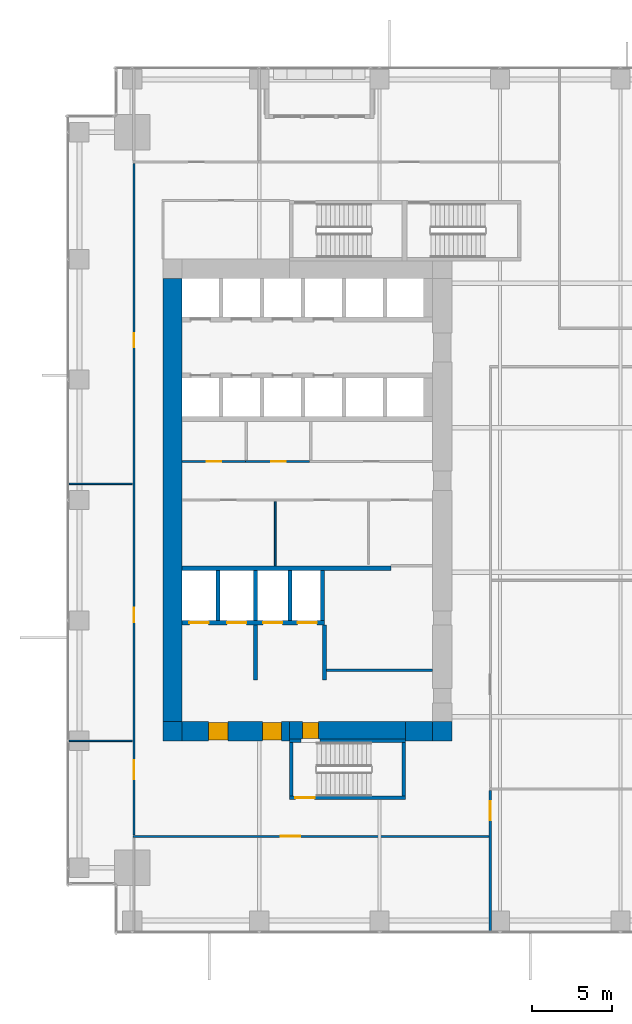
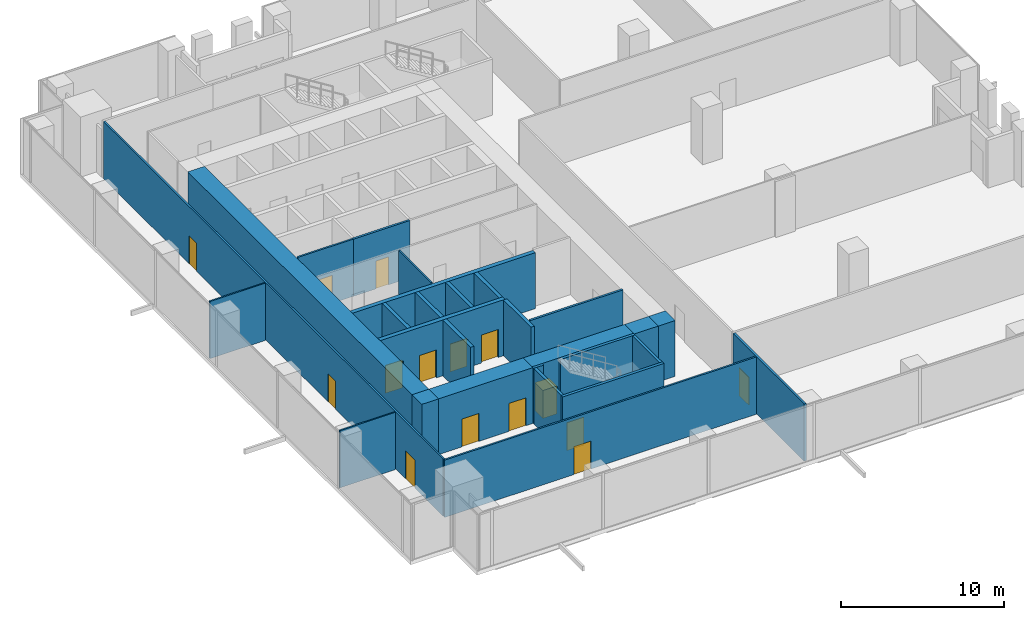
# One storey, part 27 of 33: 28 walls, 15 doors, 15 openings.
"""IFC4 building model written with IfcOpenShell, lengths in metres."""

from ifc_helpers import new_model, si_unit, direction, frame, frame_2d, origin, place, context, subcontext, project, spatial, rectangle, extrude, source, transform, mapped, material, layer, layer_set, type_object, element, fill, save


model = new_model("IFC4")

# Units and contexts
model_context = context("Model", 3, precision=1e-05, world=origin(), true_north=direction((0.0, 1.0)))
body_context = subcontext(model_context, "Body", "Model", "MODEL_VIEW")
ifc_project = project(units=[si_unit("LENGTHUNIT", "METRE"), si_unit("AREAUNIT", "SQUARE_METRE"), si_unit("VOLUMEUNIT", "CUBIC_METRE"), si_unit("PLANEANGLEUNIT", "RADIAN"), si_unit("MASSUNIT", "GRAM", prefix="KILO")], contexts=[model_context])

# Site, building, storey
site_placement = place(None, origin())
site = spatial("IfcSite", under=ifc_project, at=site_placement, CompositionType="ELEMENT")
building_placement = place(site_placement, origin())
building = spatial("IfcBuilding", under=site, at=building_placement, Name="Khomas Fold Tower", CompositionType="ELEMENT")
storey_placement = place(building_placement, frame((0.0, 0.0, 78.0)))
storey = spatial("IfcBuildingStorey", under=building, at=storey_placement, Name="L16", CompositionType="ELEMENT", Elevation=78.0)

# Wall, openings, doors
ifc_material_1 = material(Name="Concrete C70/85", Category="concrete")
ifc_layer_1 = layer(ifc_material_1, 1.199951171875)
ifc_layer_set_1 = layer_set([ifc_layer_1], Name="Concrete C70/85")
wall_type_1 = type_object("IfcWallType", Name="Core wall 1200", PredefinedType="SHEAR", material=ifc_layer_set_1)
shared_shape_1 = source(origin(), body_context, "Body", "SweptSolid", [
    extrude(rectangle(XDim=6.699951171875, YDim=1.199951171875, at=frame_2d((3.35009765625, 0.0))), origin(), (0.0, 0.0, 1.0), 4.199951171875),
])
wall_1_placement = place(storey_placement, frame((7.199951171875, 12.60009765625, 0.0), z_axis=(0.0, 0.0, 1.0), x_axis=(1.0, 0.0, 0.0)))
wall_1 = element("IfcWall", 1, at=wall_1_placement, inside=storey, type_object=wall_type_1, Name="Core wall CW-L-S-B2", PredefinedType="SHEAR", context=body_context, shape_type="MappedRepresentation", body=[
    mapped(shared_shape_1, transform((0.0, 0.0, 0.0))),
])
shared_shape_2 = source(origin(), body_context, "Body", "SweptSolid", [
    extrude(rectangle(XDim=1.199951171875, YDim=2.10009765625, at=frame_2d((0.60009765625, 1.050048828125))), frame((0.0, 0.60986328125, 0.0), z_axis=(0.0, -1.0, 0.0), x_axis=(1.0, 0.0, 0.0)), (0.0, 0.0, 1.0), 1.219970703125),
])
opening_1_placement = place(wall_1_placement, frame((5.0, 0.0, 0.0)))
opening_1 = element("IfcOpeningElement", 2, at=opening_1_placement, cuts=wall_1, Name="Opening 0009", PredefinedType="OPENING", context=body_context, shape_type="MappedRepresentation", body=[
    mapped(shared_shape_2, transform((0.0, 0.0, 0.0))),
])
opening_2_placement = place(wall_1_placement, frame((1.64990234375, 0.0, 0.0)))
opening_2 = element("IfcOpeningElement", 3, at=opening_2_placement, cuts=wall_1, Name="Opening 0009", PredefinedType="OPENING", context=body_context, shape_type="MappedRepresentation", body=[
    mapped(shared_shape_2, transform((0.0, 0.0, 0.0))),
])
ifc_material_2 = material(Name="Steel door leaf", Category="steel")
door_type_1 = type_object("IfcDoorType", Name="Lobby door 1200x2100 right-hand", OperationType="SINGLE_SWING_RIGHT", PredefinedType="DOOR", material=ifc_material_2)
shared_shape_3 = source(origin(), body_context, "Body", "SweptSolid", [
    extrude(rectangle(XDim=1.199951171875, YDim=2.10009765625, at=frame_2d((0.60009765625, 1.050048828125))), frame((0.0, 0.5498046875, 0.0), z_axis=(0.0, -1.0, 0.0), x_axis=(1.0, 0.0, 0.0)), (0.0, 0.0, 1.0), 1.099853515625),
])
door_1_placement = place(opening_1_placement, origin())
door_1 = element("IfcDoor", 4, at=door_1_placement, inside=storey, type_object=door_type_1, Name="Lobby door", OperationType="SINGLE_SWING_RIGHT", OverallHeight=2.10009765625, OverallWidth=1.199951171875, PredefinedType="DOOR", context=body_context, shape_type="MappedRepresentation", body=[
    mapped(shared_shape_3, transform((0.0, 0.0, 0.0))),
])
fill(opening_1, door_1)
door_2_placement = place(opening_2_placement, origin())
door_2 = element("IfcDoor", 5, at=door_2_placement, inside=storey, type_object=door_type_1, Name="Lobby door", OperationType="SINGLE_SWING_RIGHT", OverallHeight=2.10009765625, OverallWidth=1.199951171875, PredefinedType="DOOR", context=body_context, shape_type="MappedRepresentation", body=[
    mapped(shared_shape_3, transform((0.0, 0.0, 0.0))),
])
fill(opening_2, door_2)

# Walls
ifc_material_3 = material(Name="Concrete C70/85", Category="concrete")
ifc_layer_2 = layer(ifc_material_3, 1.199951171875)
ifc_layer_set_2 = layer_set([ifc_layer_2], Name="Concrete C70/85")
wall_type_2 = type_object("IfcWallType", Name="Core corner wall 1200", PredefinedType="SHEAR", material=ifc_layer_set_2)
shared_shape_4 = source(origin(), body_context, "Body", "SweptSolid", [
    extrude(rectangle(XDim=1.199951171875, YDim=1.199951171875, at=frame_2d((0.60009765625, 0.0))), origin(), (0.0, 0.0, 1.0), 4.199951171875),
])
for number, where, z_axis, x_axis, name in (
    (6, (22.800048828125, 12.60009765625, 0.0), (0.0, 0.0, 1.0), (1.0, 0.0, 0.0), "Core wall CW-L-SE-B2"),
    (7, (6.0, 12.60009765625, 0.0), (0.0, 0.0, 1.0), (1.0, 0.0, 0.0), "Core wall CW-L-SW-B2"),
):
    element("IfcWall", number, at=place(storey_placement, frame(where, z_axis=z_axis, x_axis=x_axis)), inside=storey, type_object=wall_type_2, Name=name, PredefinedType="SHEAR", context=body_context, shape_type="MappedRepresentation", body=[
        mapped(shared_shape_4, transform((0.0, 0.0, 0.0))),
    ])

# Wall, opening, door
ifc_material_4 = material(Name="Concrete C70/85", Category="concrete")
ifc_layer_3 = layer(ifc_material_4, 1.10009765625)
ifc_layer_set_3 = layer_set([ifc_layer_3], Name="Concrete C70/85")
wall_type_3 = type_object("IfcWallType", Name="Core wall 1100", PredefinedType="SHEAR", material=ifc_layer_set_3)
shared_shape_5 = source(origin(), body_context, "Body", "SweptSolid", [
    extrude(rectangle(XDim=7.2001953125, YDim=1.10009765625, at=frame_2d((3.60009765625, 0.0))), origin(), (0.0, 0.0, 1.0), 4.199951171875),
])
wall_2_placement = place(storey_placement, frame((13.89990234375, 12.64990234375, 0.0), z_axis=(0.0, 0.0, 1.0), x_axis=(1.0, 0.0, 0.0)))
wall_2 = element("IfcWall", 8, at=wall_2_placement, inside=storey, type_object=wall_type_3, Name="Core wall CW-L-S-B2-1", PredefinedType="SHEAR", context=body_context, shape_type="MappedRepresentation", body=[
    mapped(shared_shape_5, transform((0.0, 0.0, 0.0))),
])
shared_shape_6 = source(origin(), body_context, "Body", "SweptSolid", [
    extrude(rectangle(XDim=1.0, YDim=2.10009765625, at=frame_2d((0.5, 1.050048828125))), frame((0.0, 0.56005859375, 0.0), z_axis=(0.0, -1.0, 0.0), x_axis=(1.0, 0.0, 0.0)), (0.0, 0.0, 1.0), 1.1201171875),
])
opening_3_placement = place(wall_2_placement, frame((0.800048828125, 0.0, 0.0)))
opening_3 = element("IfcOpeningElement", 9, at=opening_3_placement, cuts=wall_2, Name="Opening 0010", PredefinedType="OPENING", context=body_context, shape_type="MappedRepresentation", body=[
    mapped(shared_shape_6, transform((0.0, 0.0, 0.0))),
])
ifc_material_5 = material(Name="Steel door leaf", Category="steel")
door_type_2 = type_object("IfcDoorType", Name="Stair door 1000x2100 right-hand", OperationType="SINGLE_SWING_RIGHT", PredefinedType="DOOR", material=ifc_material_5)
shared_shape_7 = source(origin(), body_context, "Body", "SweptSolid", [
    extrude(rectangle(XDim=1.0, YDim=2.10009765625, at=frame_2d((0.5, 1.050048828125))), frame((0.0, 0.5, 0.0), z_axis=(0.0, -1.0, 0.0), x_axis=(1.0, 0.0, 0.0)), (0.0, 0.0, 1.0), 1.0),
])
door_3_placement = place(opening_3_placement, origin())
door_3 = element("IfcDoor", 10, at=door_3_placement, inside=storey, type_object=door_type_2, Name="Stair door", OperationType="SINGLE_SWING_RIGHT", OverallHeight=2.10009765625, OverallWidth=1.0, PredefinedType="DOOR", context=body_context, shape_type="MappedRepresentation", body=[
    mapped(shared_shape_7, transform((0.0, 0.0, 0.0))),
])
fill(opening_3, door_3)

# Walls
shared_shape_8 = source(origin(), body_context, "Body", "SweptSolid", [
    extrude(rectangle(XDim=1.699951171875, YDim=1.199951171875, at=frame_2d((0.85009765625, 0.0))), origin(), (0.0, 0.0, 1.0), 4.199951171875),
])
wall_3_placement = place(storey_placement, frame((21.10009765625, 12.60009765625, 0.0), z_axis=(0.0, 0.0, 1.0), x_axis=(1.0, 0.0, 0.0)))
element("IfcWall", 11, at=wall_3_placement, inside=storey, type_object=wall_type_1, Name="Core wall CW-L-S-B2-2", PredefinedType="SHEAR", context=body_context, shape_type="MappedRepresentation", body=[
    mapped(shared_shape_8, transform((0.0, 0.0, 0.0))),
])
shared_shape_9 = source(origin(), body_context, "Body", "SweptSolid", [
    extrude(rectangle(XDim=27.60009765625, YDim=1.199951171875, at=frame_2d((13.800048828125, 0.0))), origin(), (0.0, 0.0, 1.0), 4.199951171875),
])
wall_4_placement = place(storey_placement, frame((6.60009765625, 13.199951171875, 0.0), z_axis=(0.0, 0.0, 1.0), x_axis=(0.0, 1.0, 0.0)))
element("IfcWall", 12, at=wall_4_placement, inside=storey, type_object=wall_type_1, Name="Core wall CW-L-W-B2", PredefinedType="SHEAR", context=body_context, shape_type="MappedRepresentation", body=[
    mapped(shared_shape_9, transform((0.0, 0.0, 0.0))),
])
ifc_material_6 = material(Name="Concrete C50/60", Category="concrete")
ifc_layer_4 = layer(ifc_material_6, 0.199951171875)
ifc_layer_set_4 = layer_set([ifc_layer_4], Name="Concrete C50/60")
wall_type_4 = type_object("IfcWallType", Name="Stair wall 200", PredefinedType="SHEAR", material=ifc_layer_set_4)
shared_shape_10 = source(origin(), body_context, "Body", "SweptSolid", [
    extrude(rectangle(XDim=0.7001953125, YDim=0.199951171875, at=frame_2d((0.35009765625, 0.0))), origin(), (0.0, 0.0, 1.0), 4.199951171875),
])
wall_5_placement = place(storey_placement, frame((13.89990234375, 12.0, 0.0), z_axis=(0.0, 0.0, 1.0), x_axis=(1.0, 0.0, 0.0)))
element("IfcWall", 13, at=wall_5_placement, inside=storey, type_object=wall_type_4, Name="Stair wall SW-ST2-N", PredefinedType="SHEAR", context=body_context, shape_type="MappedRepresentation", body=[
    mapped(shared_shape_10, transform((0.0, 0.0, 0.0))),
])
shared_shape_11 = source(origin(), body_context, "Body", "SweptSolid", [
    extrude(rectangle(XDim=5.300048828125, YDim=0.199951171875, at=frame_2d((2.64990234375, 0.0))), origin(), (0.0, 0.0, 1.0), 4.199951171875),
])
wall_6_placement = place(storey_placement, frame((15.800048828125, 12.0, 0.0), z_axis=(0.0, 0.0, 1.0), x_axis=(1.0, 0.0, 0.0)))
element("IfcWall", 14, at=wall_6_placement, inside=storey, type_object=wall_type_4, Name="Stair wall SW-ST2-NB", PredefinedType="SHEAR", context=body_context, shape_type="MappedRepresentation", body=[
    mapped(shared_shape_11, transform((0.0, 0.0, 0.0))),
])

# Wall, opening, door
shared_shape_12 = source(origin(), body_context, "Body", "SweptSolid", [
    extrude(rectangle(XDim=7.2001953125, YDim=0.199951171875, at=frame_2d((3.60009765625, 0.0))), origin(), (0.0, 0.0, 1.0), 4.199951171875),
])
wall_7_placement = place(storey_placement, frame((13.89990234375, 8.449951171875, 0.0), z_axis=(0.0, 0.0, 1.0), x_axis=(1.0, 0.0, 0.0)))
wall_7 = element("IfcWall", 15, at=wall_7_placement, inside=storey, type_object=wall_type_4, Name="Stair wall SW-ST2-S", PredefinedType="SHEAR", context=body_context, shape_type="MappedRepresentation", body=[
    mapped(shared_shape_12, transform((0.0, 0.0, 0.0))),
])
shared_shape_13 = source(origin(), body_context, "Body", "SweptSolid", [
    extrude(rectangle(XDim=1.199951171875, YDim=2.10009765625, at=frame_2d((0.60009765625, 1.050048828125))), frame((0.0, 0.10986328125, 0.0), z_axis=(0.0, -1.0, 0.0), x_axis=(1.0, 0.0, 0.0)), (0.0, 0.0, 1.0), 0.219970703125),
])
opening_4_placement = place(wall_7_placement, frame((0.35009765625, 0.0, 0.0)))
opening_4 = element("IfcOpeningElement", 16, at=opening_4_placement, cuts=wall_7, Name="Opening SD-ST2", PredefinedType="OPENING", context=body_context, shape_type="MappedRepresentation", body=[
    mapped(shared_shape_13, transform((0.0, 0.0, 0.0))),
])
ifc_material_7 = material(Name="Steel door leaf", Category="steel")
door_type_3 = type_object("IfcDoorType", Name="Stair door 1200x2100 right-hand", OperationType="SINGLE_SWING_RIGHT", PredefinedType="DOOR", material=ifc_material_7)
shared_shape_14 = source(origin(), body_context, "Body", "SweptSolid", [
    extrude(rectangle(XDim=1.199951171875, YDim=2.10009765625, at=frame_2d((0.60009765625, 1.050048828125))), frame((0.0, 0.02490234375, 0.0), z_axis=(0.0, -1.0, 0.0), x_axis=(1.0, 0.0, 0.0)), (0.0, 0.0, 1.0), 0.050048828125),
])
door_4_placement = place(opening_4_placement, origin())
door_4 = element("IfcDoor", 17, at=door_4_placement, inside=storey, type_object=door_type_3, Name="Stair door", OperationType="SINGLE_SWING_RIGHT", OverallHeight=2.10009765625, OverallWidth=1.199951171875, PredefinedType="DOOR", context=body_context, shape_type="MappedRepresentation", body=[
    mapped(shared_shape_14, transform((0.0, 0.0, 0.0))),
])
fill(opening_4, door_4)

# Walls
shared_shape_15 = source(origin(), body_context, "Body", "SweptSolid", [
    extrude(rectangle(XDim=3.349853515625, YDim=0.199951171875, at=frame_2d((1.6748046875, 0.0))), origin(), (0.0, 0.0, 1.0), 4.199951171875),
])
for number, where, z_axis, x_axis, name in (
    (18, (21.0, 8.550048828125, 0.0), (0.0, 0.0, 1.0), (0.0, 1.0, 0.0), "Stair wall SW-ST2-E"),
    (19, (14.0, 8.550048828125, 0.0), (0.0, 0.0, 1.0), (0.0, 1.0, 0.0), "Stair wall SW-ST2-W"),
):
    element("IfcWall", number, at=place(storey_placement, frame(where, z_axis=z_axis, x_axis=x_axis)), inside=storey, type_object=wall_type_4, Name=name, PredefinedType="SHEAR", context=body_context, shape_type="MappedRepresentation", body=[
        mapped(shared_shape_15, transform((0.0, 0.0, 0.0))),
    ])
ifc_material_8 = material(Name="Concrete C50/60", Category="concrete")
ifc_layer_5 = layer(ifc_material_8, 0.300048828125)
ifc_layer_set_5 = layer_set([ifc_layer_5], Name="Concrete C50/60")
wall_type_5 = type_object("IfcWallType", Name="Shaft wall 300", PredefinedType="STANDARD", material=ifc_layer_set_5)
shared_shape_16 = source(origin(), body_context, "Body", "SweptSolid", [
    extrude(rectangle(XDim=13.0, YDim=0.300048828125, at=frame_2d((6.5, 0.0))), origin(), (0.0, 0.0, 1.0), 4.199951171875),
])
wall_8_placement = place(storey_placement, frame((7.199951171875, 22.75, 0.0), z_axis=(0.0, 0.0, 1.0), x_axis=(1.0, 0.0, 0.0)))
element("IfcWall", 20, at=wall_8_placement, inside=storey, type_object=wall_type_5, Name="Core wall SW-FS-B", PredefinedType="STANDARD", context=body_context, shape_type="MappedRepresentation", body=[
    mapped(shared_shape_16, transform((0.0, 0.0, 0.0))),
])

# Wall, openings, doors
shared_shape_17 = source(origin(), body_context, "Body", "SweptSolid", [
    extrude(rectangle(XDim=8.875, YDim=0.300048828125, at=frame_2d((4.4375, 0.0))), origin(), (0.0, 0.0, 1.0), 4.199951171875),
])
wall_9_placement = place(storey_placement, frame((7.199951171875, 19.35009765625, 0.0), z_axis=(0.0, 0.0, 1.0), x_axis=(1.0, 0.0, 0.0)))
wall_9 = element("IfcWall", 21, at=wall_9_placement, inside=storey, type_object=wall_type_5, Name="Core wall SW-FS-F", PredefinedType="STANDARD", context=body_context, shape_type="MappedRepresentation", body=[
    mapped(shared_shape_17, transform((0.0, 0.0, 0.0))),
])
shared_shape_18 = source(origin(), body_context, "Body", "SweptSolid", [
    extrude(rectangle(XDim=1.199951171875, YDim=2.10009765625, at=frame_2d((0.60009765625, 1.050048828125))), frame((0.0, 0.159912109375, 0.0), z_axis=(0.0, -1.0, 0.0), x_axis=(1.0, 0.0, 0.0)), (0.0, 0.0, 1.0), 0.320068359375),
])
opening_5_placement = place(wall_9_placement, frame((0.449951171875, 0.0, 0.0)))
opening_5 = element("IfcOpeningElement", 22, at=opening_5_placement, cuts=wall_9, Name="Opening LD-SV1", PredefinedType="OPENING", context=body_context, shape_type="MappedRepresentation", body=[
    mapped(shared_shape_18, transform((0.0, 0.0, 0.0))),
])
opening_6_placement = place(wall_9_placement, frame((2.800048828125, 0.0, 0.0)))
opening_6 = element("IfcOpeningElement", 23, at=opening_6_placement, cuts=wall_9, Name="Opening LD-SV2", PredefinedType="OPENING", context=body_context, shape_type="MappedRepresentation", body=[
    mapped(shared_shape_18, transform((0.0, 0.0, 0.0))),
])
opening_7_placement = place(wall_9_placement, frame((5.050048828125, 0.0, 0.0)))
opening_7 = element("IfcOpeningElement", 24, at=opening_7_placement, cuts=wall_9, Name="Opening LD-FF1", PredefinedType="OPENING", context=body_context, shape_type="MappedRepresentation", body=[
    mapped(shared_shape_18, transform((0.0, 0.0, 0.0))),
])
opening_8_placement = place(wall_9_placement, frame((7.199951171875, 0.0, 0.0)))
opening_8 = element("IfcOpeningElement", 25, at=opening_8_placement, cuts=wall_9, Name="Opening LD-FF2", PredefinedType="OPENING", context=body_context, shape_type="MappedRepresentation", body=[
    mapped(shared_shape_18, transform((0.0, 0.0, 0.0))),
])
ifc_material_9 = material(Name="Steel door leaf", Category="steel")
door_type_4 = type_object("IfcDoorType", Name="Landing door 1200x2100", OperationType="DOUBLE_DOOR_SLIDING", PredefinedType="DOOR", material=ifc_material_9)
door_5_placement = place(opening_5_placement, origin())
door_5 = element("IfcDoor", 26, at=door_5_placement, inside=storey, type_object=door_type_4, Name="Lift landing door", OperationType="DOUBLE_DOOR_SLIDING", OverallHeight=2.10009765625, OverallWidth=1.199951171875, PredefinedType="DOOR", context=body_context, shape_type="MappedRepresentation", body=[
    mapped(shared_shape_14, transform((0.0, 0.0, 0.0))),
])
fill(opening_5, door_5)
door_6_placement = place(opening_6_placement, origin())
door_6 = element("IfcDoor", 27, at=door_6_placement, inside=storey, type_object=door_type_4, Name="Lift landing door", OperationType="DOUBLE_DOOR_SLIDING", OverallHeight=2.10009765625, OverallWidth=1.199951171875, PredefinedType="DOOR", context=body_context, shape_type="MappedRepresentation", body=[
    mapped(shared_shape_14, transform((0.0, 0.0, 0.0))),
])
fill(opening_6, door_6)
door_7_placement = place(opening_7_placement, origin())
door_7 = element("IfcDoor", 28, at=door_7_placement, inside=storey, type_object=door_type_4, Name="Lift landing door", OperationType="DOUBLE_DOOR_SLIDING", OverallHeight=2.10009765625, OverallWidth=1.199951171875, PredefinedType="DOOR", context=body_context, shape_type="MappedRepresentation", body=[
    mapped(shared_shape_14, transform((0.0, 0.0, 0.0))),
])
fill(opening_7, door_7)
door_8_placement = place(opening_8_placement, origin())
door_8 = element("IfcDoor", 29, at=door_8_placement, inside=storey, type_object=door_type_4, Name="Lift landing door", OperationType="DOUBLE_DOOR_SLIDING", OverallHeight=2.10009765625, OverallWidth=1.199951171875, PredefinedType="DOOR", context=body_context, shape_type="MappedRepresentation", body=[
    mapped(shared_shape_14, transform((0.0, 0.0, 0.0))),
])
fill(opening_8, door_8)

# Walls
ifc_material_10 = material(Name="Concrete C50/60", Category="concrete")
ifc_layer_6 = layer(ifc_material_10, 0.25)
ifc_layer_set_6 = layer_set([ifc_layer_6], Name="Concrete C50/60")
wall_type_6 = type_object("IfcWallType", Name="Shaft wall 250", PredefinedType="STANDARD", material=ifc_layer_set_6)
shared_shape_19 = source(origin(), body_context, "Body", "SweptSolid", [
    extrude(rectangle(XDim=3.10009765625, YDim=0.25, at=frame_2d((1.550048828125, 0.0))), origin(), (0.0, 0.0, 1.0), 4.199951171875),
])
for number, where, z_axis, x_axis, name in (
    (30, (9.425048828125, 19.5, 0.0), (0.0, 0.0, 1.0), (0.0, 1.0, 0.0), "Core wall SW-FS-P1"),
    (31, (11.77490234375, 19.5, 0.0), (0.0, 0.0, 1.0), (0.0, 1.0, 0.0), "Core wall SW-FS-P2"),
    (32, (13.925048828125, 19.5, 0.0), (0.0, 0.0, 1.0), (0.0, 1.0, 0.0), "Core wall SW-FS-P3"),
    (33, (15.949951171875, 19.5, 0.0), (0.0, 0.0, 1.0), (0.0, 1.0, 0.0), "Core wall SW-FS-PE"),
):
    element("IfcWall", number, at=place(storey_placement, frame(where, z_axis=z_axis, x_axis=x_axis)), inside=storey, type_object=wall_type_6, Name=name, PredefinedType="STANDARD", context=body_context, shape_type="MappedRepresentation", body=[
        mapped(shared_shape_19, transform((0.0, 0.0, 0.0))),
    ])
ifc_material_11 = material(Name="Concrete C50/60", Category="concrete")
ifc_layer_7 = layer(ifc_material_11, 0.25)
ifc_layer_set_7 = layer_set([ifc_layer_7], Name="Concrete C50/60")
wall_type_7 = type_object("IfcWallType", Name="Lobby wall 250", PredefinedType="STANDARD", material=ifc_layer_set_7)
shared_shape_20 = source(origin(), body_context, "Body", "SweptSolid", [
    extrude(rectangle(XDim=3.39990234375, YDim=0.25, at=frame_2d((1.699951171875, 0.0))), origin(), (0.0, 0.0, 1.0), 4.199951171875),
])
for number, where, z_axis, x_axis, name in (
    (34, (16.074951171875, 15.800048828125, 0.0), (0.0, 0.0, 1.0), (0.0, 1.0, 0.0), "Core wall SW-FS-LOB-E"),
    (35, (11.77490234375, 15.800048828125, 0.0), (0.0, 0.0, 1.0), (0.0, 1.0, 0.0), "Core wall SW-FS-SEP"),
):
    element("IfcWall", number, at=place(storey_placement, frame(where, z_axis=z_axis, x_axis=x_axis)), inside=storey, type_object=wall_type_7, Name=name, PredefinedType="STANDARD", context=body_context, shape_type="MappedRepresentation", body=[
        mapped(shared_shape_20, transform((0.0, 0.0, 0.0))),
    ])

# Wall, opening, door
ifc_material_12 = material(Name="Plasterboard partition")
ifc_layer_8 = layer(ifc_material_12, 0.125)
ifc_layer_set_8 = layer_set([ifc_layer_8], Name="Plasterboard partition")
wall_type_8 = type_object("IfcWallType", Name="Partition PW2 125", PredefinedType="PARTITIONING", material=ifc_layer_set_8)
shared_shape_21 = source(origin(), body_context, "Body", "SweptSolid", [
    extrude(rectangle(XDim=22.150146484375, YDim=0.125, at=frame_2d((11.0751953125, 0.0))), origin(), (0.0, 0.0, 1.0), 4.300048828125),
])
wall_10_placement = place(storey_placement, frame((4.14990234375, 6.050048828125, 0.0), z_axis=(0.0, 0.0, 1.0), x_axis=(1.0, 0.0, 0.0)))
wall_10 = element("IfcWall", 36, at=wall_10_placement, inside=storey, type_object=wall_type_8, Name="Partition", PredefinedType="PARTITIONING", context=body_context, shape_type="MappedRepresentation", body=[
    mapped(shared_shape_21, transform((0.0, 0.0, 0.0))),
])
shared_shape_22 = source(origin(), body_context, "Body", "SweptSolid", [
    extrude(rectangle(XDim=1.199951171875, YDim=2.10009765625, at=frame_2d((0.60009765625, 1.050048828125))), frame((0.0, 0.072509765625, 0.0), z_axis=(0.0, -1.0, 0.0), x_axis=(1.0, 0.0, 0.0)), (0.0, 0.0, 1.0), 0.14501953125),
])
opening_9_placement = place(wall_10_placement, frame((9.199951171875, 0.0, 0.0)))
opening_9 = element("IfcOpeningElement", 37, at=opening_9_placement, cuts=wall_10, Name="Opening 0013", PredefinedType="OPENING", context=body_context, shape_type="MappedRepresentation", body=[
    mapped(shared_shape_22, transform((0.0, 0.0, 0.0))),
])
ifc_material_13 = material(Name="Timber door leaf", Category="wood")
door_type_5 = type_object("IfcDoorType", Name="Door 1200x2100 left-hand", OperationType="SINGLE_SWING_LEFT", PredefinedType="DOOR", material=ifc_material_13)
door_9_placement = place(opening_9_placement, origin())
door_9 = element("IfcDoor", 38, at=door_9_placement, inside=storey, type_object=door_type_5, Name="Door", OperationType="SINGLE_SWING_LEFT", OverallHeight=2.10009765625, OverallWidth=1.199951171875, PredefinedType="DOOR", context=body_context, shape_type="MappedRepresentation", body=[
    mapped(shared_shape_14, transform((0.0, 0.0, 0.0))),
])
fill(opening_9, door_9)

# Walls
ifc_material_14 = material(Name="Plasterboard partition")
ifc_layer_9 = layer(ifc_material_14, 0.10009765625)
ifc_layer_set_9 = layer_set([ifc_layer_9], Name="Plasterboard partition")
wall_type_9 = type_object("IfcWallType", Name="Partition PW1 100", PredefinedType="PARTITIONING", material=ifc_layer_set_9)
shared_shape_23 = source(origin(), body_context, "Body", "SweptSolid", [
    extrude(rectangle(XDim=3.9501953125, YDim=0.10009765625, at=frame_2d((1.97509765625, 0.0))), origin(), (0.0, 0.0, 1.0), 4.300048828125),
])
for number, where, z_axis, x_axis, name in (
    (39, (0.14990234375, 12.0, 0.0), (0.0, 0.0, 1.0), (1.0, 0.0, 0.0), "Partition"),
    (40, (0.14990234375, 28.0, 0.0), (0.0, 0.0, 1.0), (1.0, 0.0, 0.0), "Partition"),
):
    element("IfcWall", number, at=place(storey_placement, frame(where, z_axis=z_axis, x_axis=x_axis)), inside=storey, type_object=wall_type_9, Name=name, PredefinedType="PARTITIONING", context=body_context, shape_type="MappedRepresentation", body=[
        mapped(shared_shape_23, transform((0.0, 0.0, 0.0))),
    ])
ifc_material_15 = material(Name="Plasterboard fire partition")
ifc_layer_10 = layer(ifc_material_15, 0.14990234375)
ifc_layer_set_10 = layer_set([ifc_layer_10], Name="Plasterboard fire partition")
wall_type_10 = type_object("IfcWallType", Name="Plant room wall PW3 150", PredefinedType="PARTITIONING", material=ifc_layer_set_10)
shared_shape_24 = source(origin(), body_context, "Body", "SweptSolid", [
    extrude(rectangle(XDim=6.60009765625, YDim=0.14990234375, at=frame_2d((3.300048828125, 0.0))), origin(), (0.0, 0.0, 1.0), 4.300048828125),
])
wall_11_placement = place(storey_placement, frame((16.199951171875, 16.39990234375, 0.0), z_axis=(0.0, 0.0, 1.0), x_axis=(1.0, 0.0, 0.0)))
element("IfcWall", 41, at=wall_11_placement, inside=storey, type_object=wall_type_10, Name="Plant room wall", PredefinedType="PARTITIONING", context=body_context, shape_type="MappedRepresentation", body=[
    mapped(shared_shape_24, transform((0.0, 0.0, 0.0))),
])

# Wall, openings, doors
shared_shape_25 = source(origin(), body_context, "Body", "SweptSolid", [
    extrude(rectangle(XDim=41.800048828125, YDim=0.125, at=frame_2d((20.89990234375, 0.0))), origin(), (0.0, 0.0, 1.0), 4.300048828125),
])
wall_12_placement = place(storey_placement, frame((4.199951171875, 6.14990234375, 0.0), z_axis=(0.0, 0.0, 1.0), x_axis=(0.0, 1.0, 0.0)))
wall_12 = element("IfcWall", 42, at=wall_12_placement, inside=storey, type_object=wall_type_8, Name="Partition", PredefinedType="PARTITIONING", context=body_context, shape_type="MappedRepresentation", body=[
    mapped(shared_shape_25, transform((0.0, 0.0, 0.0))),
])
opening_10_placement = place(wall_12_placement, frame((3.449951171875, 0.0, 0.0)))
opening_10 = element("IfcOpeningElement", 43, at=opening_10_placement, cuts=wall_12, Name="Opening 0001", PredefinedType="OPENING", context=body_context, shape_type="MappedRepresentation", body=[
    mapped(shared_shape_22, transform((0.0, 0.0, 0.0))),
])
shared_shape_26 = source(origin(), body_context, "Body", "SweptSolid", [
    extrude(rectangle(XDim=0.89990234375, YDim=2.10009765625, at=frame_2d((0.449951171875, 1.050048828125))), frame((0.0, 0.072509765625, 0.0), z_axis=(0.0, -1.0, 0.0), x_axis=(1.0, 0.0, 0.0)), (0.0, 0.0, 1.0), 0.14501953125),
])
opening_11_placement = place(wall_12_placement, frame((13.25, 0.0, 0.0)))
opening_11 = element("IfcOpeningElement", 44, at=opening_11_placement, cuts=wall_12, Name="Opening 0008", PredefinedType="OPENING", context=body_context, shape_type="MappedRepresentation", body=[
    mapped(shared_shape_26, transform((0.0, 0.0, 0.0))),
])
opening_12_placement = place(wall_12_placement, frame((30.35009765625, 0.0, 0.0)))
opening_12 = element("IfcOpeningElement", 45, at=opening_12_placement, cuts=wall_12, Name="Opening 0007", PredefinedType="OPENING", context=body_context, shape_type="MappedRepresentation", body=[
    mapped(shared_shape_26, transform((0.0, 0.0, 0.0))),
])
ifc_material_16 = material(Name="Timber door leaf", Category="wood")
door_type_6 = type_object("IfcDoorType", Name="Door 900x2100 right-hand", OperationType="SINGLE_SWING_RIGHT", PredefinedType="DOOR", material=ifc_material_16)
shared_shape_27 = source(origin(), body_context, "Body", "SweptSolid", [
    extrude(rectangle(XDim=0.89990234375, YDim=2.10009765625, at=frame_2d((0.449951171875, 1.050048828125))), frame((0.0, 0.02490234375, 0.0), z_axis=(0.0, -1.0, 0.0), x_axis=(1.0, 0.0, 0.0)), (0.0, 0.0, 1.0), 0.050048828125),
])
door_10_placement = place(opening_11_placement, origin())
door_10 = element("IfcDoor", 46, at=door_10_placement, inside=storey, type_object=door_type_6, Name="Door", OperationType="SINGLE_SWING_RIGHT", OverallHeight=2.10009765625, OverallWidth=0.89990234375, PredefinedType="DOOR", context=body_context, shape_type="MappedRepresentation", body=[
    mapped(shared_shape_27, transform((0.0, 0.0, 0.0))),
])
fill(opening_11, door_10)
ifc_material_17 = material(Name="Timber door leaf", Category="wood")
door_type_7 = type_object("IfcDoorType", Name="Door 900x2100 left-hand", OperationType="SINGLE_SWING_LEFT", PredefinedType="DOOR", material=ifc_material_17)
door_11_placement = place(opening_12_placement, origin())
door_11 = element("IfcDoor", 47, at=door_11_placement, inside=storey, type_object=door_type_7, Name="Door", OperationType="SINGLE_SWING_LEFT", OverallHeight=2.10009765625, OverallWidth=0.89990234375, PredefinedType="DOOR", context=body_context, shape_type="MappedRepresentation", body=[
    mapped(shared_shape_27, transform((0.0, 0.0, 0.0))),
])
fill(opening_12, door_11)
ifc_material_18 = material(Name="Timber door leaf", Category="wood")
door_type_8 = type_object("IfcDoorType", Name="Door 1200x2100 right-hand", OperationType="SINGLE_SWING_RIGHT", PredefinedType="DOOR", material=ifc_material_18)
door_12_placement = place(opening_10_placement, origin())
door_12 = element("IfcDoor", 48, at=door_12_placement, inside=storey, type_object=door_type_8, Name="Door", OperationType="SINGLE_SWING_RIGHT", OverallHeight=2.10009765625, OverallWidth=1.199951171875, PredefinedType="DOOR", context=body_context, shape_type="MappedRepresentation", body=[
    mapped(shared_shape_14, transform((0.0, 0.0, 0.0))),
])
fill(opening_10, door_12)

# Wall, opening, door
shared_shape_28 = source(origin(), body_context, "Body", "SweptSolid", [
    extrude(rectangle(XDim=8.75, YDim=0.14990234375, at=frame_2d((4.375, 0.0))), origin(), (0.0, 0.0, 1.0), 4.300048828125),
])
wall_13_placement = place(storey_placement, frame((26.39990234375, 0.14990234375, 0.0), z_axis=(0.0, 0.0, 1.0), x_axis=(0.0, 1.0, 0.0)))
wall_13 = element("IfcWall", 49, at=wall_13_placement, inside=storey, type_object=wall_type_10, Name="Plant room wall", PredefinedType="PARTITIONING", context=body_context, shape_type="MappedRepresentation", body=[
    mapped(shared_shape_28, transform((0.0, 0.0, 0.0))),
])
shared_shape_29 = source(origin(), body_context, "Body", "SweptSolid", [
    extrude(rectangle(XDim=1.199951171875, YDim=2.10009765625, at=frame_2d((0.60009765625, 1.050048828125))), frame((0.0, 0.0849609375, 0.0), z_axis=(0.0, -1.0, 0.0), x_axis=(1.0, 0.0, 0.0)), (0.0, 0.0, 1.0), 0.169921875),
])
opening_13_placement = place(wall_13_placement, frame((6.89990234375, 0.0, 0.0)))
opening_13 = element("IfcOpeningElement", 50, at=opening_13_placement, cuts=wall_13, Name="Opening 0011", PredefinedType="OPENING", context=body_context, shape_type="MappedRepresentation", body=[
    mapped(shared_shape_29, transform((0.0, 0.0, 0.0))),
])
ifc_material_19 = material(Name="Steel door leaf", Category="steel")
door_type_9 = type_object("IfcDoorType", Name="Plant room door 1200x2100 right-hand", OperationType="SINGLE_SWING_RIGHT", PredefinedType="DOOR", material=ifc_material_19)
door_13_placement = place(opening_13_placement, origin())
door_13 = element("IfcDoor", 51, at=door_13_placement, inside=storey, type_object=door_type_9, Name="Plant room door", OperationType="SINGLE_SWING_RIGHT", OverallHeight=2.10009765625, OverallWidth=1.199951171875, PredefinedType="DOOR", context=body_context, shape_type="MappedRepresentation", body=[
    mapped(shared_shape_14, transform((0.0, 0.0, 0.0))),
])
fill(opening_13, door_13)

# Wall
shared_shape_30 = source(origin(), body_context, "Body", "SweptSolid", [
    extrude(rectangle(XDim=4.0, YDim=0.10009765625, at=frame_2d((2.0, 0.0))), origin(), (0.0, 0.0, 1.0), 4.300048828125),
])
wall_14_placement = place(storey_placement, frame((13.0, 22.89990234375, 0.0), z_axis=(0.0, 0.0, 1.0), x_axis=(0.0, 1.0, 0.0)))
element("IfcWall", 52, at=wall_14_placement, inside=storey, type_object=wall_type_9, Name="Partition", PredefinedType="PARTITIONING", context=body_context, shape_type="MappedRepresentation", body=[
    mapped(shared_shape_30, transform((0.0, 0.0, 0.0))),
])

# Wall, opening, door
shared_shape_31 = source(origin(), body_context, "Body", "SweptSolid", [
    extrude(rectangle(XDim=3.949951171875, YDim=0.125, at=frame_2d((1.97509765625, 0.0))), origin(), (0.0, 0.0, 1.0), 4.300048828125),
])
wall_15_placement = place(storey_placement, frame((7.199951171875, 29.39990234375, 0.0), z_axis=(0.0, 0.0, 1.0), x_axis=(1.0, 0.0, 0.0)))
wall_15 = element("IfcWall", 53, at=wall_15_placement, inside=storey, type_object=wall_type_8, Name="Partition", PredefinedType="PARTITIONING", context=body_context, shape_type="MappedRepresentation", body=[
    mapped(shared_shape_31, transform((0.0, 0.0, 0.0))),
])
opening_14_placement = place(wall_15_placement, frame((1.550048828125, 0.0, 0.0)))
opening_14 = element("IfcOpeningElement", 54, at=opening_14_placement, cuts=wall_15, Name="Opening 0007", PredefinedType="OPENING", context=body_context, shape_type="MappedRepresentation", body=[
    mapped(shared_shape_26, transform((0.0, 0.0, 0.0))),
])
door_14_placement = place(opening_14_placement, origin())
door_14 = element("IfcDoor", 55, at=door_14_placement, inside=storey, type_object=door_type_7, Name="Door", OperationType="SINGLE_SWING_LEFT", OverallHeight=2.10009765625, OverallWidth=0.89990234375, PredefinedType="DOOR", context=body_context, shape_type="MappedRepresentation", body=[
    mapped(shared_shape_27, transform((0.0, 0.0, 0.0))),
])
fill(opening_14, door_14)

shared_shape_32 = source(origin(), body_context, "Body", "SweptSolid", [
    extrude(rectangle(XDim=4.0, YDim=0.14990234375, at=frame_2d((2.0, 0.0))), origin(), (0.0, 0.0, 1.0), 4.300048828125),
])
wall_16_placement = place(storey_placement, frame((11.14990234375, 29.39990234375, 0.0), z_axis=(0.0, 0.0, 1.0), x_axis=(1.0, 0.0, 0.0)))
wall_16 = element("IfcWall", 56, at=wall_16_placement, inside=storey, type_object=wall_type_10, Name="Plant room wall", PredefinedType="PARTITIONING", context=body_context, shape_type="MappedRepresentation", body=[
    mapped(shared_shape_32, transform((0.0, 0.0, 0.0))),
])
shared_shape_33 = source(origin(), body_context, "Body", "SweptSolid", [
    extrude(rectangle(XDim=0.89990234375, YDim=2.10009765625, at=frame_2d((0.449951171875, 1.050048828125))), frame((0.0, 0.0849609375, 0.0), z_axis=(0.0, -1.0, 0.0), x_axis=(1.0, 0.0, 0.0)), (0.0, 0.0, 1.0), 0.169921875),
])
opening_15_placement = place(wall_16_placement, frame((1.60009765625, 0.0, 0.0)))
opening_15 = element("IfcOpeningElement", 57, at=opening_15_placement, cuts=wall_16, Name="Opening 0003", PredefinedType="OPENING", context=body_context, shape_type="MappedRepresentation", body=[
    mapped(shared_shape_33, transform((0.0, 0.0, 0.0))),
])
ifc_material_20 = material(Name="Steel door leaf", Category="steel")
door_type_10 = type_object("IfcDoorType", Name="Plant room door 900x2100 right-hand", OperationType="SINGLE_SWING_RIGHT", PredefinedType="DOOR", material=ifc_material_20)
door_15_placement = place(opening_15_placement, origin())
door_15 = element("IfcDoor", 58, at=door_15_placement, inside=storey, type_object=door_type_10, Name="Plant room door", OperationType="SINGLE_SWING_RIGHT", OverallHeight=2.10009765625, OverallWidth=0.89990234375, PredefinedType="DOOR", context=body_context, shape_type="MappedRepresentation", body=[
    mapped(shared_shape_27, transform((0.0, 0.0, 0.0))),
])
fill(opening_15, door_15)

save(model, "model.ifc")
